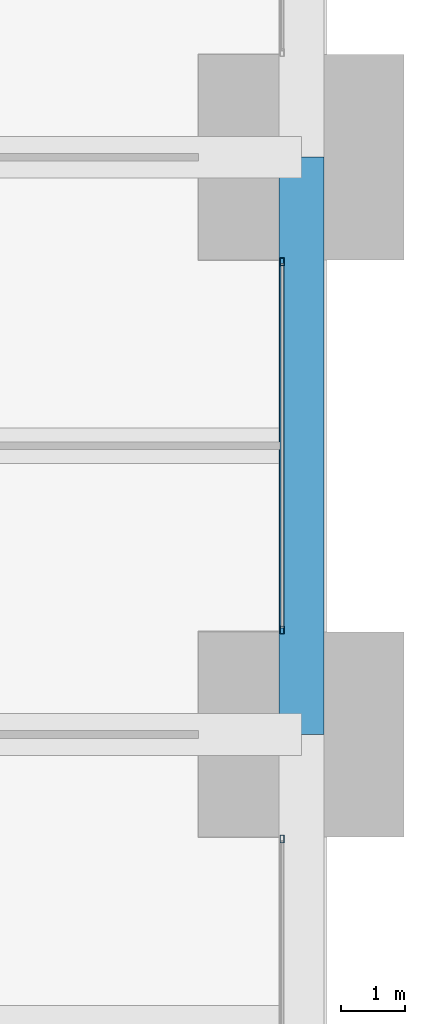
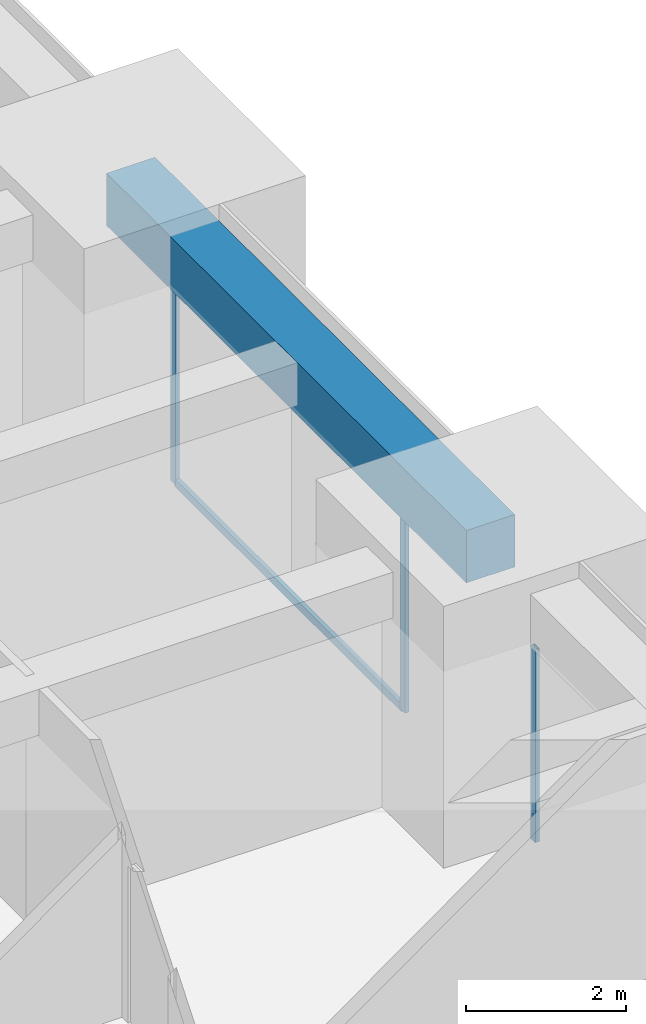
# One storey, part 21 of 40: 4 members, 1 beam, 2 elements without a shape of their own.
"""IFC4 building model written with IfcOpenShell, lengths in metres."""

from ifc_helpers import new_model, si_unit, direction, frame, origin, origin_2d, place, context, subcontext, project, spatial, rectangle, hollow_rectangle, extrude, material, material_profile, profile_set, type_object, element, aggregate, save


model = new_model("IFC4")

# Units and contexts
model_context = context("Model", 3, precision=1e-05, world=origin(), true_north=direction((0.0, 1.0)))
body_context = subcontext(model_context, "Body", "Model", "MODEL_VIEW")
ifc_project = project(units=[si_unit("LENGTHUNIT", "METRE"), si_unit("AREAUNIT", "SQUARE_METRE"), si_unit("VOLUMEUNIT", "CUBIC_METRE"), si_unit("PLANEANGLEUNIT", "RADIAN"), si_unit("MASSUNIT", "GRAM", prefix="KILO")], contexts=[model_context])

# Site, building, storey
site_placement = place(None, origin())
site = spatial("IfcSite", under=ifc_project, at=site_placement, CompositionType="ELEMENT")
building_placement = place(site_placement, origin())
building = spatial("IfcBuilding", under=site, at=building_placement, Name="Zorevar Civic Tower", CompositionType="ELEMENT")
storey_placement = place(building_placement, frame((0.0, 0.0, 239.39990234375)))
storey = spatial("IfcBuildingStorey", under=building, at=storey_placement, Name="L58", CompositionType="ELEMENT", Elevation=239.39990234375)

# Curtain wall, member
ifc_material_1 = material(Name="Dark grey solar-control glass in black aluminium frame", Category="aluminium")
curtain_wall_type = type_object("IfcCurtainWallType", Name="Curtain wall CW5 top zone", PredefinedType="NOTDEFINED", material=ifc_material_1)
curtain_wall_1_placement = place(storey_placement, origin())
curtain_wall_1 = element("IfcCurtainWall", 1, at=curtain_wall_1_placement, inside=storey, type_object=curtain_wall_type, Name="CW5 L58", PredefinedType="NOTDEFINED")
ifc_material_2 = material(Name="Aluminium, black anodised", Category="aluminium")
ifc_material_profile_1 = material_profile(ifc_material_2, hollow_rectangle(XDim=0.06005859375, YDim=0.1201171875, WallThickness=0.0029296875, at=origin_2d()), Name="AL 120x60x3")
ifc_profile_set_1 = profile_set([ifc_material_profile_1], Name="Aluminium, black anodised")
member_type_1 = type_object("IfcMemberType", Name="CW5 mullion AL 120x60x3", PredefinedType="MULLION", material=ifc_profile_set_1)
member_1_placement = place(storey_placement, frame((53.699951171875, 16.3701171875, 0.0), z_axis=(0.0, 0.0, 1.0), x_axis=(-1.0, 0.0, 0.0)))
member_1 = element("IfcMember", 2, at=member_1_placement, type_object=member_type_1, Name="CW5 mullion 3", PredefinedType="MULLION", context=body_context, shape_type="SweptSolid", body=[
    extrude(hollow_rectangle(XDim=0.06005859375, YDim=0.1201171875, WallThickness=0.0029296875, at=origin_2d()), origin(), (0.0, 0.0, 1.0), 2.9501953125),
])
aggregate(curtain_wall_1, [member_1])

# Curtain wall, members
curtain_wall_2_placement = place(storey_placement, origin())
curtain_wall_2 = element("IfcCurtainWall", 3, at=curtain_wall_2_placement, inside=storey, type_object=curtain_wall_type, Name="CW5 L58", PredefinedType="NOTDEFINED")
member_2_placement = place(storey_placement, frame((53.699951171875, 19.6298828125, 0.0), z_axis=(0.0, 0.0, 1.0), x_axis=(-1.0, 0.0, 0.0)))
member_2 = element("IfcMember", 4, at=member_2_placement, type_object=member_type_1, Name="CW5 mullion 1", PredefinedType="MULLION", context=body_context, shape_type="SweptSolid", body=[
    extrude(hollow_rectangle(XDim=0.06005859375, YDim=0.1201171875, WallThickness=0.0029296875, at=origin_2d()), origin(), (0.0, 0.0, 1.0), 2.9501953125),
])
member_3_placement = place(storey_placement, frame((53.699951171875, 25.3701171875, 0.0), z_axis=(0.0, 0.0, 1.0), x_axis=(-1.0, 0.0, 0.0)))
member_3 = element("IfcMember", 5, at=member_3_placement, type_object=member_type_1, Name="CW5 mullion 2", PredefinedType="MULLION", context=body_context, shape_type="SweptSolid", body=[
    extrude(hollow_rectangle(XDim=0.06005859375, YDim=0.1201171875, WallThickness=0.0029296875, at=origin_2d()), origin(), (0.0, 0.0, 1.0), 2.9501953125),
])
ifc_material_3 = material(Name="Aluminium, black anodised", Category="aluminium")
ifc_material_profile_2 = material_profile(ifc_material_3, hollow_rectangle(XDim=0.06005859375, YDim=0.1201171875, WallThickness=0.0029296875, at=origin_2d()), Name="AL 120x60x3")
ifc_profile_set_2 = profile_set([ifc_material_profile_2], Name="Aluminium, black anodised")
member_type_2 = type_object("IfcMemberType", Name="CW5 transom AL 120x60x3", PredefinedType="USERDEFINED", material=ifc_profile_set_2)
member_4_placement = place(storey_placement, frame((53.699951171875, 19.659912109375, 0.030029296875), z_axis=(0.0, 1.0, 0.0), x_axis=(-1.0, 0.0, 0.0)))
member_4 = element("IfcMember", 6, at=member_4_placement, type_object=member_type_2, Name="CW5 sill transom", ObjectType="TRANSOM", PredefinedType="USERDEFINED", context=body_context, shape_type="SweptSolid", body=[
    extrude(hollow_rectangle(XDim=0.06005859375, YDim=0.1201171875, WallThickness=0.0029296875, at=origin_2d()), origin(), (0.0, 0.0, 1.0), 5.68017578125),
])
aggregate(curtain_wall_2, [member_2, member_3, member_4])

# Beam
ifc_material_4 = material(Name="Concrete C50/60", Category="concrete")
ifc_material_profile_3 = material_profile(ifc_material_4, rectangle(XDim=0.699951171875, YDim=0.800048828125, at=origin_2d()), Name="RC 700x800")
ifc_profile_set_3 = profile_set([ifc_material_profile_3], Name="Concrete C50/60")
beam_type = type_object("IfcBeamType", Name="Edge beam RC 700x800", PredefinedType="SPANDREL", material=ifc_profile_set_3)
beam_placement = place(storey_placement, frame((54.0, 18.0, 3.35009765625), z_axis=(0.0, 1.0, 0.0), x_axis=(-1.0, 0.0, 0.0)))
element("IfcBeam", 7, at=beam_placement, inside=storey, type_object=beam_type, Name="Edge beam L59", PredefinedType="SPANDREL", context=body_context, shape_type="SweptSolid", body=[
    extrude(rectangle(XDim=0.699951171875, YDim=0.800048828125, at=origin_2d()), origin(), (0.0, 0.0, 1.0), 9.0),
])

save(model, "model.ifc")
